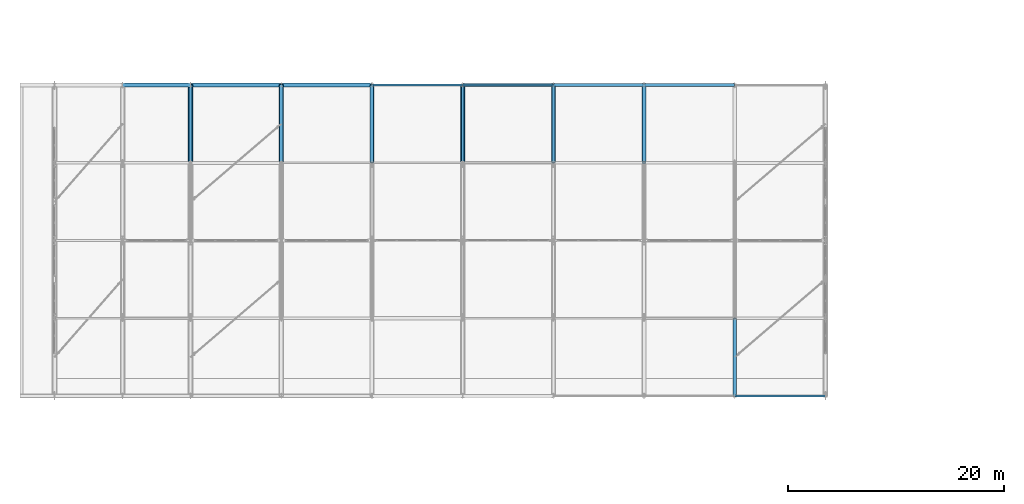
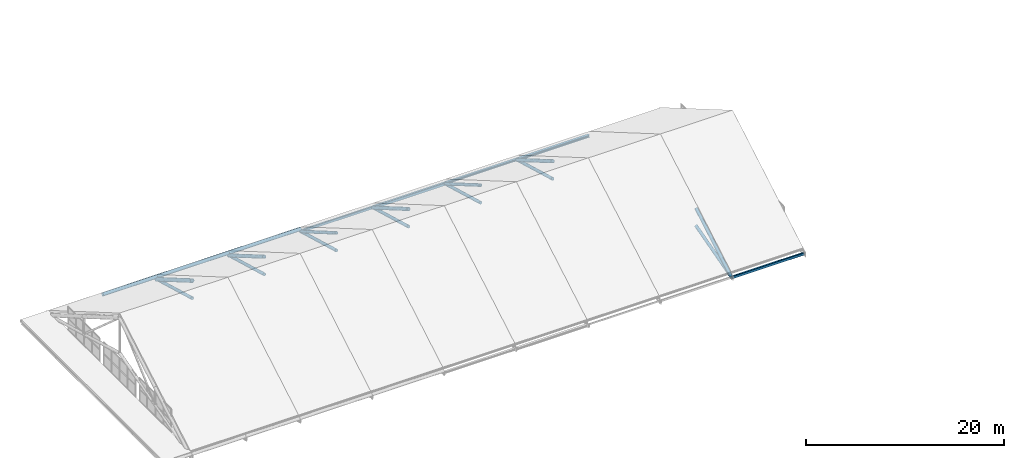
# One storey, part 20 of 54: 22 members.
"""IFC4 building model written with IfcOpenShell, lengths in metres."""

from ifc_helpers import new_model, si_unit, direction, frame, origin, origin_2d, place, context, subcontext, project, spatial, hollow_rectangle, hollow_circle, i_section, extrude, material, material_profile, profile_set, type_object, element, save


model = new_model("IFC4")

# Units and contexts
model_context = context("Model", 3, precision=1e-05, world=origin(), true_north=direction((0.0, 1.0)))
body_context = subcontext(model_context, "Body", "Model", "MODEL_VIEW")
ifc_project = project(units=[si_unit("LENGTHUNIT", "METRE"), si_unit("AREAUNIT", "SQUARE_METRE"), si_unit("VOLUMEUNIT", "CUBIC_METRE"), si_unit("PLANEANGLEUNIT", "RADIAN"), si_unit("MASSUNIT", "GRAM", prefix="KILO")], contexts=[model_context])

# Site, building, storey
site_placement = place(None, origin())
site = spatial("IfcSite", under=ifc_project, at=site_placement, CompositionType="ELEMENT")
building_placement = place(site_placement, origin())
building = spatial("IfcBuilding", under=site, at=building_placement, Name="Zulmaris Art Gallery", CompositionType="ELEMENT")
storey_placement = place(building_placement, frame((0.0, 0.0, 26.39990234375)))
storey = spatial("IfcBuildingStorey", under=building, at=storey_placement, Name="L05", CompositionType="ELEMENT", Elevation=26.39990234375)

# Members
ifc_material_1 = material(Name="Steel S355J2H", Category="steel")
ifc_material_profile_1 = material_profile(ifc_material_1, hollow_rectangle(XDim=0.199951171875, YDim=0.300048828125, WallThickness=0.012451171875, InnerFilletRadius=0.018798828125, OuterFilletRadius=0.03125, at=origin_2d()), Name="RHS 300x200x12.5")
ifc_profile_set_1 = profile_set([ifc_material_profile_1], Name="Steel S355J2H")
member_type_1 = type_object("IfcMemberType", Name="MEM-PR03", PredefinedType="PURLIN", material=ifc_profile_set_1)
member_1_placement = place(storey_placement, frame((40.800048828125, 50.39990234375, -0.52978515625), z_axis=(1.0, 0.0, 0.0), x_axis=(0.0, 1.0, 0.0)))
element("IfcMember", 1, at=member_1_placement, inside=storey, type_object=member_type_1, Name="Skylight roof purlin bay 5 line 5", PredefinedType="PURLIN", context=body_context, shape_type="SweptSolid", body=[
    extrude(hollow_rectangle(XDim=0.199951171875, YDim=0.300048828125, WallThickness=0.012451171875, InnerFilletRadius=0.018798828125, OuterFilletRadius=0.03125, at=origin_2d()), origin(), (0.0, 0.0, 1.0), 8.39990234375),
])
member_2_placement = place(storey_placement, frame((74.39990234375, 21.60009765625, -0.52978515625), z_axis=(1.0, 0.0, 0.0), x_axis=(0.0, 1.0, 0.0)))
element("IfcMember", 2, at=member_2_placement, inside=storey, type_object=member_type_1, Name="Skylight roof purlin bay 9 line 1", PredefinedType="PURLIN", context=body_context, shape_type="SweptSolid", body=[
    extrude(hollow_rectangle(XDim=0.199951171875, YDim=0.300048828125, WallThickness=0.012451171875, InnerFilletRadius=0.018798828125, OuterFilletRadius=0.03125, at=origin_2d()), origin(), (0.0, 0.0, 1.0), 8.400146484375),
])
ifc_material_profile_2 = material_profile(ifc_material_1, hollow_rectangle(XDim=0.25, YDim=0.35009765625, WallThickness=0.01611328125, InnerFilletRadius=0.02392578125, OuterFilletRadius=0.0400390625, at=origin_2d()), Name="RHS 350x250x16")
ifc_profile_set_2 = profile_set([ifc_material_profile_2], Name="Steel S355J2H")
member_type_2 = type_object("IfcMemberType", Name="MEM-PR04", PredefinedType="PURLIN", material=ifc_profile_set_2)
member_3_placement = place(storey_placement, frame((49.199951171875, 50.39990234375, -0.554931640625), z_axis=(1.0, 0.0, 0.0), x_axis=(0.0, 1.0, 0.0)))
element("IfcMember", 3, at=member_3_placement, inside=storey, type_object=member_type_2, Name="Skylight roof purlin bay 6 line 5", PredefinedType="PURLIN", context=body_context, shape_type="SweptSolid", body=[
    extrude(hollow_rectangle(XDim=0.25, YDim=0.35009765625, WallThickness=0.01611328125, InnerFilletRadius=0.02392578125, OuterFilletRadius=0.0400390625, at=origin_2d()), origin(), (0.0, 0.0, 1.0), 8.400146484375),
])
ifc_material_2 = material(Name="Steel S355J2", Category="steel")
ifc_material_profile_3 = material_profile(ifc_material_2, i_section(OverallWidth=0.239990234375, OverallDepth=0.239990234375, WebThickness=0.010009765625, FlangeThickness=0.01708984375, FilletRadius=0.02099609375, at=origin_2d()), Name="HEB 240")
ifc_profile_set_3 = profile_set([ifc_material_profile_3], Name="Steel S355J2")
member_type_3 = type_object("IfcMemberType", Name="MEM-PR05", PredefinedType="PURLIN", material=ifc_profile_set_3)
member_4_placement = place(storey_placement, frame((57.60009765625, 50.39990234375, -0.5), z_axis=(1.0, 0.0, 0.0), x_axis=(0.0, 1.0, 0.0)))
element("IfcMember", 4, at=member_4_placement, inside=storey, type_object=member_type_3, Name="Skylight roof purlin bay 7 line 5", PredefinedType="PURLIN", context=body_context, shape_type="SweptSolid", body=[
    extrude(i_section(OverallWidth=0.239990234375, OverallDepth=0.239990234375, WebThickness=0.010009765625, FlangeThickness=0.01708984375, FilletRadius=0.02099609375, at=origin_2d()), origin(), (0.0, 0.0, 1.0), 8.39990234375),
])
ifc_material_profile_4 = material_profile(ifc_material_2, i_section(OverallWidth=0.280029296875, OverallDepth=0.280029296875, WebThickness=0.010498046875, FlangeThickness=0.01806640625, FilletRadius=0.02392578125, at=origin_2d()), Name="HEB 280")
ifc_profile_set_4 = profile_set([ifc_material_profile_4], Name="Steel S355J2")
member_type_4 = type_object("IfcMemberType", Name="MEM-PR06", PredefinedType="PURLIN", material=ifc_profile_set_4)
member_5_placement = place(storey_placement, frame((66.0, 50.39990234375, -0.52001953125), z_axis=(1.0, 0.0, 0.0), x_axis=(0.0, 1.0, 0.0)))
element("IfcMember", 5, at=member_5_placement, inside=storey, type_object=member_type_4, Name="Skylight roof purlin bay 8 line 5", PredefinedType="PURLIN", context=body_context, shape_type="SweptSolid", body=[
    extrude(i_section(OverallWidth=0.280029296875, OverallDepth=0.280029296875, WebThickness=0.010498046875, FlangeThickness=0.01806640625, FilletRadius=0.02392578125, at=origin_2d()), origin(), (0.0, 0.0, 1.0), 8.39990234375),
])
ifc_material_profile_5 = material_profile(ifc_material_1, hollow_circle(Radius=0.177734375, WallThickness=0.01611328125, at=origin_2d()), Name="CHS 355.6x16")
ifc_profile_set_5 = profile_set([ifc_material_profile_5], Name="Steel S355J2H")
member_type_5 = type_object("IfcMemberType", Name="MEM-TC01", PredefinedType="CHORD", material=ifc_profile_set_5)
for number, where, z_axis, x_axis, name in (
    (6, (24.0, 43.199951171875, 1.4501953125), (0.0, 0.963517441554, -0.267645548853), (-1.0, 0.0, 0.0), "Pitched gallery truss TR-R03 bottom chord 4"),
    (7, (32.39990234375, 43.199951171875, 1.4501953125), (0.0, 0.963517441554, -0.267645548853), (-1.0, 0.0, 0.0), "Pitched gallery truss TR-R04 bottom chord 4"),
):
    element("IfcMember", number, at=place(storey_placement, frame(where, z_axis=z_axis, x_axis=x_axis)), inside=storey, type_object=member_type_5, Name=name, PredefinedType="CHORD", context=body_context, shape_type="SweptSolid", body=[
        extrude(hollow_circle(Radius=0.177734375, WallThickness=0.01611328125, at=origin_2d()), origin(), (0.0, 0.0, 1.0), 7.47265625),
    ])
member_6_placement = place(storey_placement, frame((40.800048828125, 43.199951171875, 3.6201171875), z_axis=(0.0, 0.863779963214, -0.503869204407), x_axis=(-1.0, 0.0, 0.0)))
element("IfcMember", 8, at=member_6_placement, inside=storey, type_object=member_type_5, Name="Pitched gallery truss TR-R05 top chord 4", PredefinedType="CHORD", context=body_context, shape_type="SweptSolid", body=[
    extrude(hollow_circle(Radius=0.177734375, WallThickness=0.01611328125, at=origin_2d()), origin(), (0.0, 0.0, 1.0), 8.33544921875),
])
for number, where, z_axis, x_axis, name in (
    (9, (40.800048828125, 43.199951171875, 1.4501953125), (0.0, 0.963517441554, -0.267645548853), (-1.0, 0.0, 0.0), "Pitched gallery truss TR-R05 bottom chord 4"),
    (10, (49.199951171875, 43.199951171875, 1.4501953125), (0.0, 0.963517441554, -0.267645548853), (-1.0, 0.0, 0.0), "Pitched gallery truss TR-R06 bottom chord 4"),
):
    element("IfcMember", number, at=place(storey_placement, frame(where, z_axis=z_axis, x_axis=x_axis)), inside=storey, type_object=member_type_5, Name=name, PredefinedType="CHORD", context=body_context, shape_type="SweptSolid", body=[
        extrude(hollow_circle(Radius=0.177734375, WallThickness=0.01611328125, at=origin_2d()), origin(), (0.0, 0.0, 1.0), 7.47265625),
    ])
member_7_placement = place(storey_placement, frame((57.60009765625, 43.199951171875, 3.6201171875), z_axis=(0.0, 0.863779963214, -0.503869204407), x_axis=(-1.0, 0.0, 0.0)))
element("IfcMember", 11, at=member_7_placement, inside=storey, type_object=member_type_5, Name="Pitched gallery truss TR-R07 top chord 4", PredefinedType="CHORD", context=body_context, shape_type="SweptSolid", body=[
    extrude(hollow_circle(Radius=0.177734375, WallThickness=0.01611328125, at=origin_2d()), origin(), (0.0, 0.0, 1.0), 8.33544921875),
])
for number, where, z_axis, x_axis, name in (
    (12, (57.60009765625, 43.199951171875, 1.4501953125), (0.0, 0.963517441554, -0.267645548853), (-1.0, 0.0, 0.0), "Pitched gallery truss TR-R07 bottom chord 4"),
    (13, (66.0, 43.199951171875, 1.4501953125), (0.0, 0.963517441554, -0.267645548853), (-1.0, 0.0, 0.0), "Pitched gallery truss TR-R08 bottom chord 4"),
):
    element("IfcMember", number, at=place(storey_placement, frame(where, z_axis=z_axis, x_axis=x_axis)), inside=storey, type_object=member_type_5, Name=name, PredefinedType="CHORD", context=body_context, shape_type="SweptSolid", body=[
        extrude(hollow_circle(Radius=0.177734375, WallThickness=0.01611328125, at=origin_2d()), origin(), (0.0, 0.0, 1.0), 7.47265625),
    ])
member_8_placement = place(storey_placement, frame((74.39990234375, 21.60009765625, -0.579833984375), z_axis=(0.0, 0.863779963214, 0.503869204407), x_axis=(-1.0, 0.0, 0.0)))
element("IfcMember", 14, at=member_8_placement, inside=storey, type_object=member_type_5, Name="Pitched gallery truss TR-R09 top chord 1", PredefinedType="CHORD", context=body_context, shape_type="SweptSolid", body=[
    extrude(hollow_circle(Radius=0.177734375, WallThickness=0.01611328125, at=origin_2d()), origin(), (0.0, 0.0, 1.0), 8.33544921875),
])
member_9_placement = place(storey_placement, frame((74.39990234375, 21.60009765625, -0.5498046875), z_axis=(0.0, 0.963517441554, 0.267645548853), x_axis=(-1.0, 0.0, 0.0)))
element("IfcMember", 15, at=member_9_placement, inside=storey, type_object=member_type_5, Name="Pitched gallery truss TR-R09 bottom chord 1", PredefinedType="CHORD", context=body_context, shape_type="SweptSolid", body=[
    extrude(hollow_circle(Radius=0.177734375, WallThickness=0.01611328125, at=origin_2d()), origin(), (0.0, 0.0, 1.0), 7.47265625),
])
ifc_material_profile_6 = material_profile(ifc_material_1, hollow_circle(Radius=0.203125, WallThickness=0.01611328125, at=origin_2d()), Name="CHS 406.4x16")
ifc_profile_set_6 = profile_set([ifc_material_profile_6], Name="Steel S355J2H")
member_type_6 = type_object("IfcMemberType", Name="MEM-TC02", PredefinedType="CHORD", material=ifc_profile_set_6)
member_10_placement = place(storey_placement, frame((17.699951171875, 50.39990234375, -0.25), z_axis=(1.0, 0.0, 0.0), x_axis=(0.0, 1.0, 0.0)))
element("IfcMember", 16, at=member_10_placement, inside=storey, type_object=member_type_6, Name="Eaves sunshade truss 2 top chord 3", PredefinedType="CHORD", context=body_context, shape_type="SweptSolid", body=[
    extrude(hollow_circle(Radius=0.203125, WallThickness=0.01611328125, at=origin_2d()), origin(), (0.0, 0.0, 1.0), 6.300048828125),
])
member_11_placement = place(storey_placement, frame((24.0, 50.39990234375, -0.25), z_axis=(1.0, 0.0, 0.0), x_axis=(0.0, 1.0, 0.0)))
element("IfcMember", 17, at=member_11_placement, inside=storey, type_object=member_type_6, Name="Eaves sunshade truss 2 top chord 4", PredefinedType="CHORD", context=body_context, shape_type="SweptSolid", body=[
    extrude(hollow_circle(Radius=0.203125, WallThickness=0.01611328125, at=origin_2d()), origin(), (0.0, 0.0, 1.0), 8.39990234375),
])
member_12_placement = place(storey_placement, frame((32.39990234375, 50.39990234375, -0.25), z_axis=(1.0, 0.0, 0.0), x_axis=(0.0, 1.0, 0.0)))
element("IfcMember", 18, at=member_12_placement, inside=storey, type_object=member_type_6, Name="Eaves sunshade truss 2 top chord 5", PredefinedType="CHORD", context=body_context, shape_type="SweptSolid", body=[
    extrude(hollow_circle(Radius=0.203125, WallThickness=0.01611328125, at=origin_2d()), origin(), (0.0, 0.0, 1.0), 8.400146484375),
])
for number, where, z_axis, x_axis, name in (
    (19, (32.39990234375, 43.199951171875, 3.6201171875), (0.0, 0.863779963214, -0.503869204407), (-1.0, 0.0, 0.0), "Pitched gallery truss TR-R04 top chord 4"),
    (20, (49.199951171875, 43.199951171875, 3.6201171875), (0.0, 0.863779963214, -0.503869204407), (-1.0, 0.0, 0.0), "Pitched gallery truss TR-R06 top chord 4"),
    (21, (66.0, 43.199951171875, 3.6201171875), (0.0, 0.863779963214, -0.503869204407), (-1.0, 0.0, 0.0), "Pitched gallery truss TR-R08 top chord 4"),
):
    element("IfcMember", number, at=place(storey_placement, frame(where, z_axis=z_axis, x_axis=x_axis)), inside=storey, type_object=member_type_6, Name=name, PredefinedType="CHORD", context=body_context, shape_type="SweptSolid", body=[
        extrude(hollow_circle(Radius=0.203125, WallThickness=0.01611328125, at=origin_2d()), origin(), (0.0, 0.0, 1.0), 8.33544921875),
    ])
ifc_material_profile_7 = material_profile(ifc_material_1, hollow_circle(Radius=0.228515625, WallThickness=0.02001953125, at=origin_2d()), Name="CHS 457x20")
ifc_profile_set_7 = profile_set([ifc_material_profile_7], Name="Steel S355J2H")
member_type_7 = type_object("IfcMemberType", Name="MEM-TC03", PredefinedType="CHORD", material=ifc_profile_set_7)
member_13_placement = place(storey_placement, frame((24.0, 43.199951171875, 3.6201171875), z_axis=(0.0, 0.863779963214, -0.503869204407), x_axis=(-1.0, 0.0, 0.0)))
element("IfcMember", 22, at=member_13_placement, inside=storey, type_object=member_type_7, Name="Pitched gallery truss TR-R03 top chord 4", PredefinedType="CHORD", context=body_context, shape_type="SweptSolid", body=[
    extrude(hollow_circle(Radius=0.228515625, WallThickness=0.02001953125, at=origin_2d()), origin(), (0.0, 0.0, 1.0), 8.33544921875),
])

save(model, "model.ifc")
